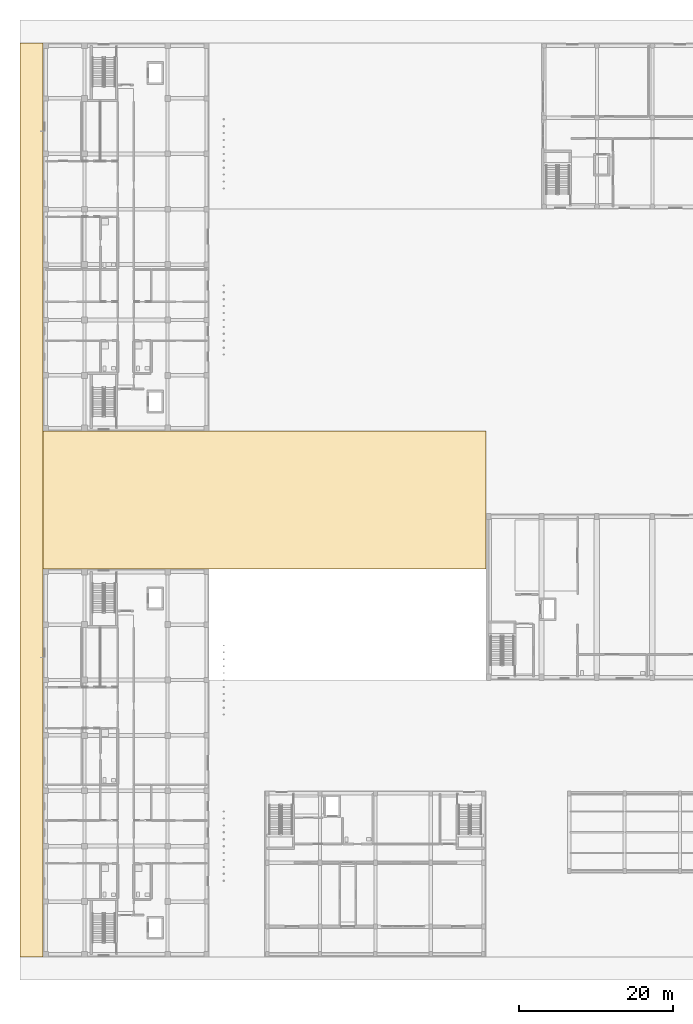
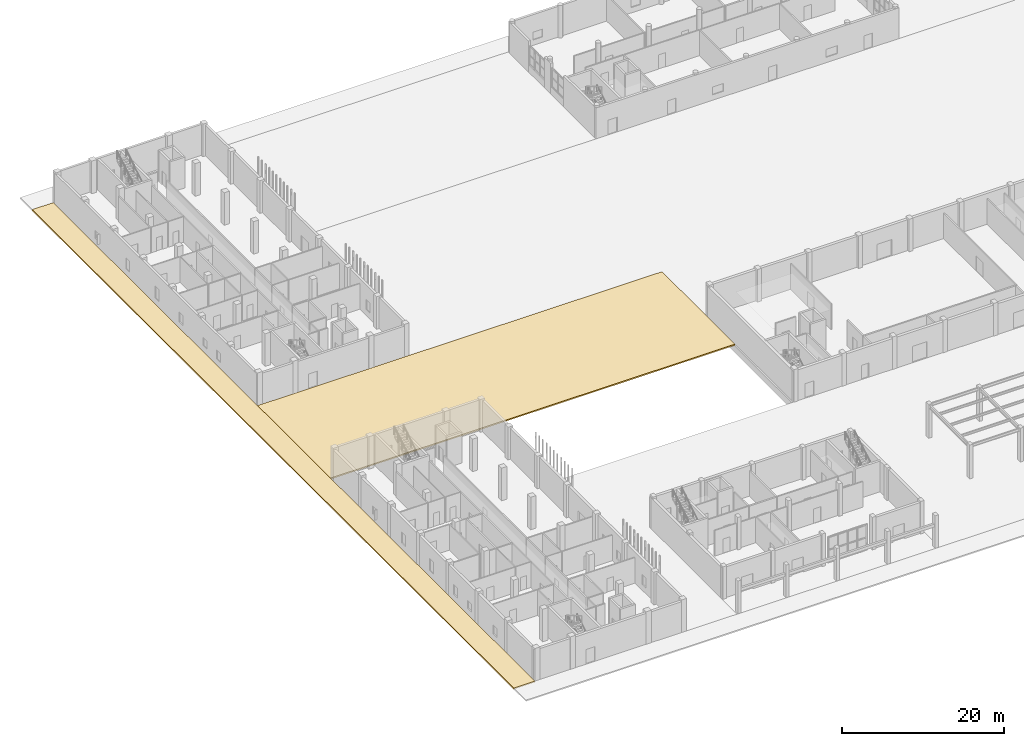
# One storey, part 62 of 85: 2 coverings.
"""IFC4 building model written with IfcOpenShell, lengths in metres."""

from ifc_helpers import new_model, si_unit, derived_unit, direction, frame, origin, place, context, subcontext, project, spatial, polyline, outline, extrude, material, layer, layer_set, type_object, element, save


model = new_model("IFC4")

# Units and contexts
model_context = context("Model", 3, precision=1e-05, world=origin(), true_north=direction((0.0, 1.0)))
body_context = subcontext(model_context, "Body", "Model", "MODEL_VIEW")
ifc_project = project(units=[si_unit("LENGTHUNIT", "METRE"), si_unit("AREAUNIT", "SQUARE_METRE"), si_unit("VOLUMEUNIT", "CUBIC_METRE"), si_unit("PLANEANGLEUNIT", "RADIAN"), si_unit("MASSUNIT", "GRAM", prefix="KILO"), derived_unit("THERMALTRANSMITTANCEUNIT", [(si_unit("MASSUNIT", "GRAM", prefix="KILO"), 1), (si_unit("TIMEUNIT", "SECOND"), -3), (si_unit("THERMODYNAMICTEMPERATUREUNIT", "KELVIN"), -1)])], contexts=[model_context])

# Site, building, storey
site_placement = place(None, origin())
site = spatial("IfcSite", under=ifc_project, at=site_placement, CompositionType="ELEMENT")
building_placement = place(site_placement, origin())
building = spatial("IfcBuilding", under=site, at=building_placement, Name="Ochrekiln Boulevard Commons", CompositionType="ELEMENT")
storey_placement = place(building_placement, origin())
storey = spatial("IfcBuildingStorey", under=building, at=storey_placement, Name="L00", CompositionType="ELEMENT", Elevation=0.0)

# Coverings
ifc_material = material(Name="Precast concrete C40/50", Category="concrete")
ifc_layer = layer(ifc_material, 0.18994140625)
ifc_layer_set = layer_set([ifc_layer], Name="Precast concrete C40/50")
covering_type = type_object("IfcCoveringType", Name="COV-PAV-190", PredefinedType="FLOORING", material=ifc_layer_set)
covering_1_placement = place(storey_placement, frame((0.0, 0.0, -0.18994140625)))
element("IfcCovering", 1, at=covering_1_placement, inside=storey, type_object=covering_type, Name="West Street Sidewalk Paving Slab", PredefinedType="FLOORING", context=body_context, shape_type="SweptSolid", body=[
    extrude(outline(polyline([(-3.0, 0.0), (0.0, 0.0), (0.0, 118.800048828125), (-3.0, 118.800048828125), (-3.0, 0.0)])), origin(), (0.0, 0.0, 1.0), 0.18994140625),
])
covering_2_placement = place(storey_placement, frame((0.0, 0.0, -0.18994140625)))
element("IfcCovering", 2, at=covering_2_placement, inside=storey, type_object=covering_type, Name="West Courtyard Garden Portal Paving Slab", PredefinedType="FLOORING", context=body_context, shape_type="SweptSolid", body=[
    extrude(outline(polyline([(0.0, 50.39990234375), (57.60009765625, 50.39990234375), (57.60009765625, 68.39990234375), (0.0, 68.39990234375), (0.0, 50.39990234375)])), origin(), (0.0, 0.0, 1.0), 0.18994140625),
])

save(model, "model.ifc")
